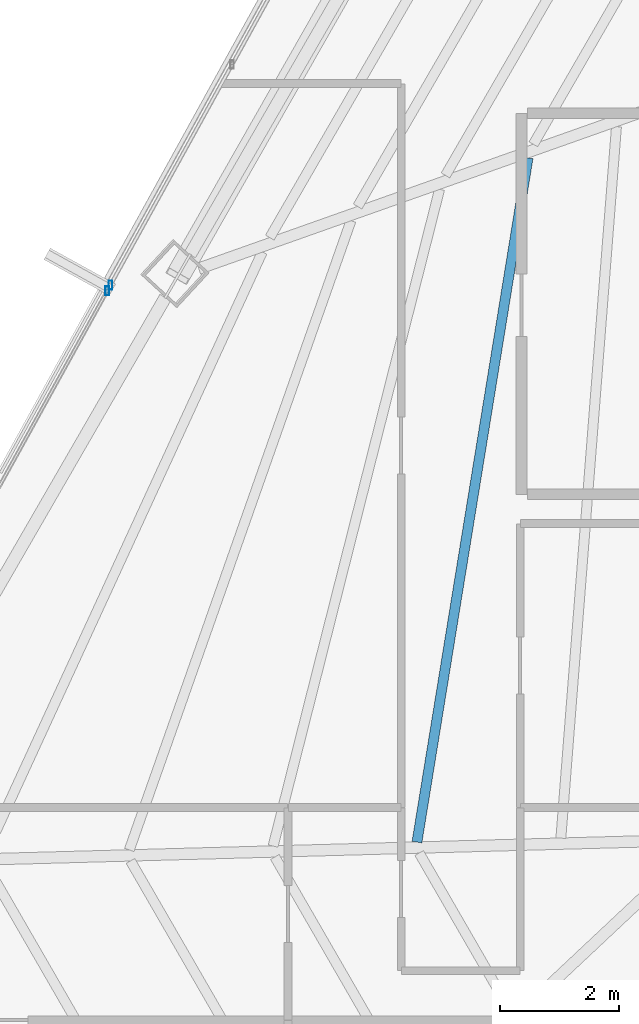
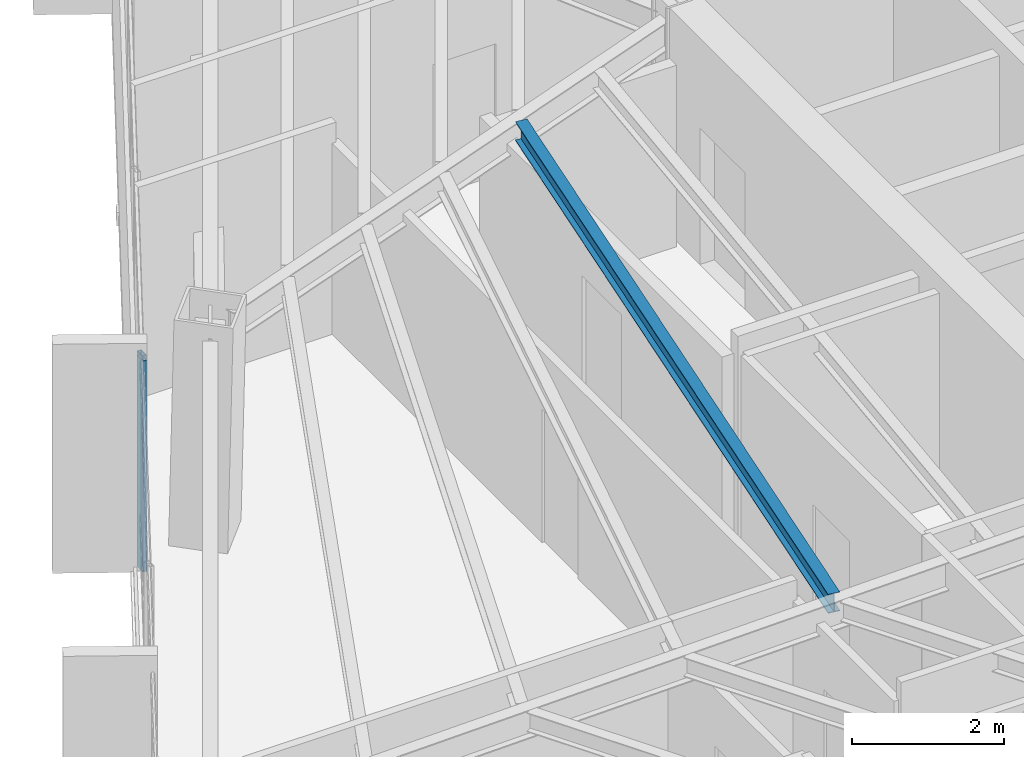
# One storey, part 12 of 42: 2 members, 1 beam, 2 elements without a shape of their own.
"""IFC4 building model written with IfcOpenShell, lengths in metres."""

import ifcopenshell
import ifcopenshell.guid

model = None  # the IFC model being written
_history = None  # IfcOwnerHistory: only IFC2X3 demands one
_inside = {}  # id of a spatial element -> (the spatial element, [elements in it])
_under = {}  # id of a project, library or spatial element -> (it, [spatial elements below it])
_declared = {}  # id of a project -> (the project, [libraries it declares])
_typed = {}  # id of a type object -> (the type object, [elements of that type])
_made_of = {}  # id of a material, layer set ... -> (it, [elements and type objects made of it])


def new_model(schema):
    """Start an empty IFC model of exactly this schema.

    Asked for "IFC4X3", IfcOpenShell would pick the latest addendum, in which some entities
    have other attributes; the version numbers below select the first issue.
    IFC2X3 requires an IfcOwnerHistory on every rooted entity: one is made here for all.
    """
    global model, _history
    if schema == "IFC4X3":
        model = ifcopenshell.file(schema_version=(4, 3, 0, 0))
    else:
        model = ifcopenshell.file(schema=schema)
    _inside.clear()
    _under.clear()
    _declared.clear()
    _typed.clear()
    _made_of.clear()
    _history = None
    if model.schema == "IFC2X3":
        org = make("IfcOrganization", Name="unknown")
        user = make(
            "IfcPersonAndOrganization",
            ThePerson=make("IfcPerson", FamilyName="unknown"),
            TheOrganization=org,
        )
        app = make(
            "IfcApplication",
            ApplicationDeveloper=org,
            Version="unknown",
            ApplicationFullName="unknown",
            ApplicationIdentifier="unknown",
        )
        _history = make(
            "IfcOwnerHistory",
            OwningUser=user,
            OwningApplication=app,
            ChangeAction="ADDED",
            CreationDate=0,
        )
    return model


def make(cls, **values):
    """One entity of the class cls with the attributes given. An attribute that is None is left unset."""
    return model.create_entity(
        cls, **{name: value for name, value in values.items() if value is not None}
    )


def rooted(cls, **values):
    """An entity with a GlobalId (a new one), such as an element, a storey or a relation."""
    return make(cls, GlobalId=ifcopenshell.guid.new(), OwnerHistory=_history, **values)


def si_unit(unit_type, name, prefix=None):
    """IfcSIUnit, for example si_unit("LENGTHUNIT", "METRE", prefix="MILLI")."""
    return make("IfcSIUnit", UnitType=unit_type, Prefix=prefix, Name=name)


def assignment(units):
    """IfcUnitAssignment: the units of a project."""
    return None if units is None else make("IfcUnitAssignment", Units=units)


def point(xyz):
    """IfcCartesianPoint."""
    return None if xyz is None else make("IfcCartesianPoint", Coordinates=xyz)


def direction(xyz):
    """IfcDirection."""
    return None if xyz is None else make("IfcDirection", DirectionRatios=xyz)


def frame(location, z_axis=None, x_axis=None):
    """IfcAxis2Placement3D, a coordinate frame: its origin and axes. An axis left out is left unset."""
    return make(
        "IfcAxis2Placement3D",
        Location=point(location),
        Axis=direction(z_axis),
        RefDirection=direction(x_axis),
    )


def frame_2d(location, x_axis=None):
    """IfcAxis2Placement2D, a coordinate frame in the plane: its origin and x axis."""
    return make(
        "IfcAxis2Placement2D", Location=point(location), RefDirection=direction(x_axis)
    )


def origin():
    """The frame at (0, 0, 0) with its axes left unset."""
    return frame((0.0, 0.0, 0.0))


def origin_2d():
    """The frame at (0, 0) in the plane with its x axis left unset."""
    return frame_2d((0.0, 0.0))


def place(relative_to, where):
    """IfcLocalPlacement: puts the frame where relative to a parent placement (None: the world)."""
    return make(
        "IfcLocalPlacement", PlacementRelTo=relative_to, RelativePlacement=where
    )


def context(
    kind, dimensions, precision=None, world=None, true_north=None, identifier=None
):
    """IfcGeometricRepresentationContext, for example the 3D "Model" context."""
    return make(
        "IfcGeometricRepresentationContext",
        ContextIdentifier=identifier,
        ContextType=kind,
        CoordinateSpaceDimension=dimensions,
        Precision=precision,
        WorldCoordinateSystem=world,
        TrueNorth=true_north,
    )


def subcontext(parent, identifier, kind, view, scale=None):
    """IfcGeometricRepresentationSubContext, for example "Body" below "Model"."""
    return make(
        "IfcGeometricRepresentationSubContext",
        ContextIdentifier=identifier,
        ContextType=kind,
        ParentContext=parent,
        TargetScale=scale,
        TargetView=view,
    )


def project(units=None, contexts=None):
    """IfcProject with its units and contexts."""
    return rooted(
        "IfcProject",
        Name="project",
        RepresentationContexts=contexts,
        UnitsInContext=assignment(units),
    )


def spatial(cls, under=None, at=None, **own):
    """A site, building, storey or space (cls), placed at a placement, below another one or the project."""
    s = rooted(cls, ObjectPlacement=at, **own)
    if under is not None:
        _under.setdefault(under.id(), (under, []))[1].append(s)
    return s


def profile(cls, at=None, kind="AREA", **sizes):
    """A parametric profile (cls). Its sizes go by their IFC names, for example OverallWidth=200.0."""
    return make(cls, ProfileType=kind, Position=at, **sizes)


def hollow_rectangle(**sizes):
    """IfcRectangleHollowProfileDef."""
    return profile("IfcRectangleHollowProfileDef", **sizes)


def i_section(**sizes):
    """IfcIShapeProfileDef."""
    return profile("IfcIShapeProfileDef", **sizes)


def extrude(swept, where, along, depth):
    """IfcExtrudedAreaSolid: the profile swept, set in the frame where, extruded along a direction by depth."""
    return make(
        "IfcExtrudedAreaSolid",
        SweptArea=swept,
        Position=where,
        ExtrudedDirection=direction(along),
        Depth=depth,
    )


def shape(context_of_items, identifier, shape_type, items):
    """IfcShapeRepresentation: the items that make up one representation, for example the "Body"."""
    return make(
        "IfcShapeRepresentation",
        ContextOfItems=context_of_items,
        RepresentationIdentifier=identifier,
        RepresentationType=shape_type,
        Items=items,
    )


def source(mapping_origin, context_of_items, identifier, shape_type, items):
    """IfcRepresentationMap: a shape defined once, which mapped items show again and again."""
    return make(
        "IfcRepresentationMap",
        MappingOrigin=mapping_origin,
        MappedRepresentation=shape(context_of_items, identifier, shape_type, items),
    )


def transform(
    local_origin,
    x_axis=None,
    y_axis=None,
    z_axis=None,
    scale=None,
    scale2=None,
    scale3=None,
    uniform=True,
):
    """IfcCartesianTransformationOperator3D, or its non-uniform kind. x_axis, y_axis, z_axis: its Axis1, 2, 3."""
    if uniform:
        return make(
            "IfcCartesianTransformationOperator3D",
            Axis1=direction(x_axis),
            Axis2=direction(y_axis),
            LocalOrigin=point(local_origin),
            Scale=scale,
            Axis3=direction(z_axis),
        )
    return make(
        "IfcCartesianTransformationOperator3DnonUniform",
        Axis1=direction(x_axis),
        Axis2=direction(y_axis),
        LocalOrigin=point(local_origin),
        Scale=scale,
        Axis3=direction(z_axis),
        Scale2=scale2,
        Scale3=scale3,
    )


def mapped(mapping_source, mapping_target):
    """IfcMappedItem: shows the shape of a source again, moved by a transform."""
    return make(
        "IfcMappedItem", MappingSource=mapping_source, MappingTarget=mapping_target
    )


def material(Name=None, Category=None):
    """IfcMaterial."""
    return make("IfcMaterial", Name=Name, Category=Category)


def material_profile(
    of_material, cross_section, Name=None, Category=None, Priority=None
):
    """IfcMaterialProfile: a cross section and its material."""
    return make(
        "IfcMaterialProfile",
        Name=Name,
        Material=of_material,
        Profile=cross_section,
        Priority=Priority,
        Category=Category,
    )


def profile_set(profiles, Name=None, composite=None):
    """IfcMaterialProfileSet."""
    return make(
        "IfcMaterialProfileSet",
        Name=Name,
        MaterialProfiles=profiles,
        CompositeProfile=composite,
    )


def made_of(thing, what):
    """Note that an element or type object is made of a material, layer set ...; save() writes the relation."""
    if what is not None:
        _made_of.setdefault(what.id(), (what, []))[1].append(thing)
    return thing


def type_object(cls, material=None, **own):
    """A type object (cls), such as IfcWallType, which elements share."""
    return made_of(rooted(cls, **own), material)


def type_shapes(of_type, sources):
    """Give a type object the sources (RepresentationMaps) that its elements show as mapped items."""
    of_type.RepresentationMaps = sources


def element(
    cls,
    number,
    at=None,
    inside=None,
    cuts=None,
    type_object=None,
    material=None,
    context=None,
    identifier="Body",
    shape_type=None,
    held_by="IfcProductDefinitionShape",
    body=None,
    shapes=None,
    **own,
):
    """One element of the class cls, such as IfcWall. Its Tag is "e" and its number.

    at: its placement. inside: the storey or other place that contains it. cuts: it is an
    opening in that element (IfcRelVoidsElement). A single representation is given by context,
    identifier, shape_type and body (its items); several are given by shapes. held_by: the class
    of the entity that holds the representations. save() writes the other relations.
    """
    e = rooted(cls, Tag="e%d" % number, ObjectPlacement=at, **own)
    if body is not None:
        shapes = [shape(context, identifier, shape_type, body)]
    if shapes is not None:
        e.Representation = make(held_by, Representations=shapes)
    if inside is not None:
        _inside.setdefault(inside.id(), (inside, []))[1].append(e)
    if cuts is not None:
        rooted(
            "IfcRelVoidsElement", RelatingBuildingElement=cuts, RelatedOpeningElement=e
        )
    if type_object is not None:
        _typed.setdefault(type_object.id(), (type_object, []))[1].append(e)
    return made_of(e, material)


def aggregate(whole, parts):
    """IfcRelAggregates: a whole, such as a stair, and the parts it consists of."""
    return rooted("IfcRelAggregates", RelatingObject=whole, RelatedObjects=parts)


def save(model, path):
    """Write the relations noted so far, then the file.

    IfcRelAggregates (storeys below a building ...), IfcRelContainedInSpatialStructure (elements
    in a storey), IfcRelDefinesByType, IfcRelAssociatesMaterial and IfcRelDeclares: one each for
    every whole, place, type object, material and project.
    """
    for whole, parts in _under.values():
        aggregate(whole, parts)
    for where, things in _inside.values():
        rooted(
            "IfcRelContainedInSpatialStructure",
            RelatedElements=things,
            RelatingStructure=where,
        )
    for kind, things in _typed.values():
        rooted("IfcRelDefinesByType", RelatedObjects=things, RelatingType=kind)
    for what, things in _made_of.values():
        rooted("IfcRelAssociatesMaterial", RelatedObjects=things, RelatingMaterial=what)
    for by, libraries in _declared.values():
        rooted("IfcRelDeclares", RelatingContext=by, RelatedDefinitions=libraries)
    model.write(path)


model = new_model("IFC4")

# Units and contexts
model_context = context("Model", 3, precision=1e-05, world=origin(), true_north=direction((0.0, 1.0)))
body_context = subcontext(model_context, "Body", "Model", "MODEL_VIEW")
ifc_project = project(units=[si_unit("LENGTHUNIT", "METRE"), si_unit("AREAUNIT", "SQUARE_METRE"), si_unit("VOLUMEUNIT", "CUBIC_METRE"), si_unit("PLANEANGLEUNIT", "RADIAN"), si_unit("MASSUNIT", "GRAM", prefix="KILO")], contexts=[model_context])

# Site, building, storey
site_placement = place(None, origin())
site = spatial("IfcSite", under=ifc_project, at=site_placement, CompositionType="ELEMENT")
building_placement = place(site_placement, origin())
building = spatial("IfcBuilding", under=site, at=building_placement, Name="Caelisora Broadcast Tower", CompositionType="ELEMENT")
storey_placement = place(building_placement, frame((0.0, 0.0, 205.949951171875)))
storey = spatial("IfcBuildingStorey", under=building, at=storey_placement, Name="L54", CompositionType="ELEMENT", Elevation=205.949951171875)

# Beam
ifc_material_1 = material(Name="Steel Grade 350 (AS/NZS 3679.1)", Category="steel")
ifc_material_profile_1 = material_profile(ifc_material_1, i_section(OverallWidth=0.166015625, OverallDepth=0.30712890625, WebThickness=0.006591796875, FlangeThickness=0.01171875, at=origin_2d()), Name="Steel Grade 350 (AS/NZS 3679.1)")
ifc_profile_set_1 = profile_set([ifc_material_profile_1], Name="Steel Grade 350 (AS/NZS 3679.1)")
beam_type = type_object("IfcBeamType", Name="SB03", PredefinedType="JOIST", material=ifc_profile_set_1)
shared_shape_1 = source(origin(), body_context, "Body", "SweptSolid", [
    extrude(i_section(OverallWidth=0.166015625, OverallDepth=0.30712890625, WebThickness=0.006591796875, FlangeThickness=0.01171875, at=origin_2d()), origin(), (0.0, 0.0, 1.0), 11.640869140625),
])
type_shapes(beam_type, [shared_shape_1])
beam_placement = place(storey_placement, frame((27.531982421875, 28.850830078125, 3.246337890625), z_axis=(-0.160295945179, -0.987068999594, 0.0), x_axis=(0.987068999594, -0.160295945179, 0.0)))
element("IfcBeam", 1, at=beam_placement, inside=storey, type_object=beam_type, Name="L54 beam SB03", PredefinedType="JOIST", context=body_context, shape_type="MappedRepresentation", body=[
    mapped(shared_shape_1, transform((0.0, 0.0, 0.0), scale=1.0)),
])

# Curtain wall, member
ifc_material_2 = material(Name="Unitised Aluminium and Low-E Glass Curtain Wall", Category="glass")
curtain_wall_type_1 = type_object("IfcCurtainWallType", Name="CW-Z4", PredefinedType="NOTDEFINED", material=ifc_material_2)
curtain_wall_1_placement = place(storey_placement, origin())
curtain_wall_1 = element("IfcCurtainWall", 2, at=curtain_wall_1_placement, inside=storey, type_object=curtain_wall_type_1, Name="L54 curtain wall CW-Z4", PredefinedType="NOTDEFINED")
ifc_material_3 = material(Name="Aluminium 6063-T6 Anodised Terracotta Bronze", Category="aluminium")
ifc_material_profile_2 = material_profile(ifc_material_3, hollow_rectangle(XDim=0.06005859375, YDim=0.14990234375, WallThickness=0.00341796875, at=origin_2d()), Name="Aluminium 6063-T6 Anodised Terracotta Bronze")
ifc_profile_set_2 = profile_set([ifc_material_profile_2], Name="Aluminium 6063-T6 Anodised Terracotta Bronze")
member_type = type_object("IfcMemberType", Name="CWM-03", PredefinedType="MULLION", material=ifc_profile_set_2)
shared_shape_2 = source(origin(), body_context, "Body", "SweptSolid", [
    extrude(hollow_rectangle(XDim=0.06005859375, YDim=0.14990234375, WallThickness=0.00341796875, at=origin_2d()), origin(), (0.0, 0.0, 1.0), 3.400146484375),
])
type_shapes(member_type, [shared_shape_2])
member_1_placement = place(storey_placement, frame((20.464599609375, 26.619140625, 0.0), z_axis=(0.0, 0.0, 1.0), x_axis=(1.0, 0.0, 0.0)))
member_1 = element("IfcMember", 3, at=member_1_placement, type_object=member_type, Name="L54-CW-B09 mullion #3", PredefinedType="MULLION", context=body_context, shape_type="MappedRepresentation", body=[
    mapped(shared_shape_2, transform((0.0, 0.0, 0.0), scale=1.0)),
])
aggregate(curtain_wall_1, [member_1])

ifc_material_4 = material(Name="Unitised Aluminium Insulated Shadow-Box Spandrel Curtain Wall", Category="aluminium")
curtain_wall_type_2 = type_object("IfcCurtainWallType", Name="CW-SP2", PredefinedType="NOTDEFINED", material=ifc_material_4)
curtain_wall_2_placement = place(storey_placement, origin())
curtain_wall_2 = element("IfcCurtainWall", 4, at=curtain_wall_2_placement, inside=storey, type_object=curtain_wall_type_2, Name="L54 curtain wall CW-SP2", PredefinedType="NOTDEFINED")
member_2_placement = place(storey_placement, frame((20.517822265625, 26.715576171875, 0.0), z_axis=(0.0, 0.0, 1.0), x_axis=(1.0, 0.0, 0.0)))
member_2 = element("IfcMember", 5, at=member_2_placement, type_object=member_type, Name="L54-CW-B10 mullion #0", PredefinedType="MULLION", context=body_context, shape_type="MappedRepresentation", body=[
    mapped(shared_shape_2, transform((0.0, 0.0, 0.0), scale=1.0)),
])
aggregate(curtain_wall_2, [member_2])

save(model, "model.ifc")
